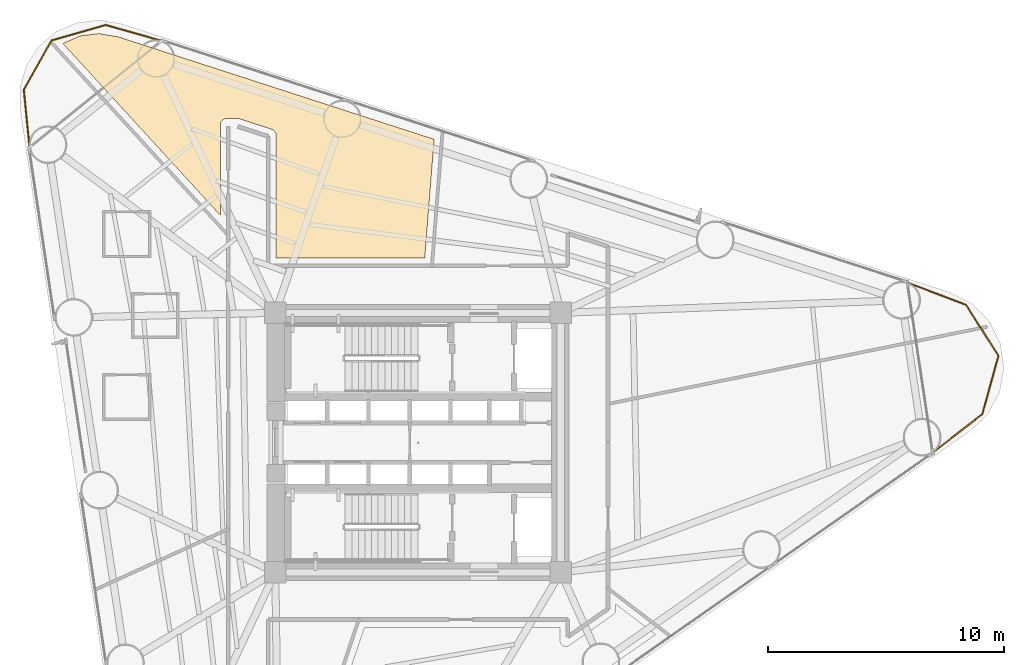
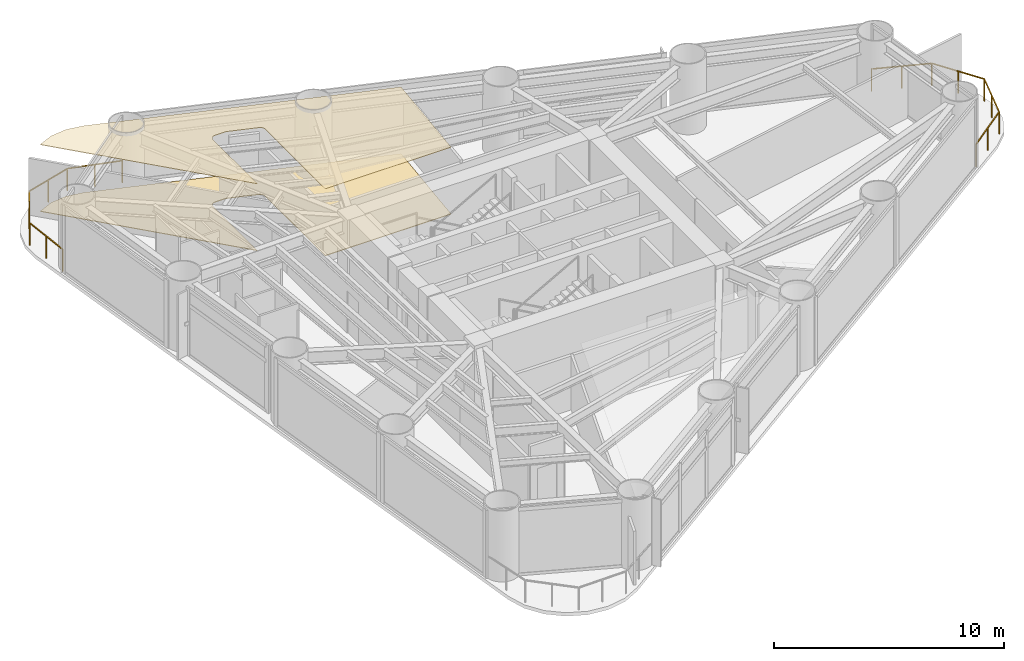
# One storey, part 11 of 11: 2 coverings, 2 railings.
"""IFC4 building model written with IfcOpenShell, lengths in metres."""

from ifc_helpers import new_model, si_unit, direction, frame, origin, origin_2d, place, context, subcontext, project, spatial, polyline, rectangle, outline, extrude, material, layer, layer_set, type_object, element, save


model = new_model("IFC4")

# Units and contexts
model_context = context("Model", 3, precision=1e-05, world=origin(), true_north=direction((0.0, 1.0)))
body_context = subcontext(model_context, "Body", "Model", "MODEL_VIEW")
ifc_project = project(units=[si_unit("LENGTHUNIT", "METRE"), si_unit("AREAUNIT", "SQUARE_METRE"), si_unit("VOLUMEUNIT", "CUBIC_METRE"), si_unit("PLANEANGLEUNIT", "RADIAN"), si_unit("MASSUNIT", "GRAM", prefix="KILO")], contexts=[model_context])

# Site, building, storey
site_placement = place(None, origin())
site = spatial("IfcSite", under=ifc_project, at=site_placement, CompositionType="ELEMENT")
building_placement = place(site_placement, origin())
building = spatial("IfcBuilding", under=site, at=building_placement, Name="Yunling Apex Tower", CompositionType="ELEMENT")
storey_placement = place(building_placement, frame((0.0, 0.0, 54.800048828125)))
storey = spatial("IfcBuildingStorey", under=building, at=storey_placement, Name="L14", CompositionType="ELEMENT", Elevation=54.800048828125)

# Coverings
ifc_material_1 = material(Name="Acoustic mineral fibre ceiling")
ifc_layer_1 = layer(ifc_material_1, 0.02490234375)
ifc_layer_set_1 = layer_set([ifc_layer_1], Name="Acoustic mineral fibre ceiling")
covering_type_1 = type_object("IfcCoveringType", Name="CV-CLG-1", PredefinedType="CEILING", material=ifc_layer_set_1)
covering_1_placement = place(storey_placement, frame((0.0, 0.0, 3.5400390625)))
element("IfcCovering", 1, at=covering_1_placement, inside=storey, type_object=covering_type_1, Name="CV-CL-SP-L14-R05", PredefinedType="CEILING", context=body_context, shape_type="SweptSolid", body=[
    extrude(outline(polyline([(-15.054443359375, 16.91748046875), (-15.044921875, 16.925537109375), (-14.3203125, 17.24267578125), (-13.53515625, 17.3388671875), (-12.7138671875, 17.199462890625), (0.680908203125, 12.857421875), (0.28515625, 7.830078125), (-6.02001953125, 7.830078125), (-6.02001953125, 13.04345703125), (-6.020751953125, 13.06591796875), (-6.025390625, 13.091552734375), (-6.029541015625, 13.108642578125), (-6.036865234375, 13.131103515625), (-6.048583984375, 13.156494140625), (-6.060546875, 13.176513671875), (-6.07470703125, 13.1962890625), (-6.092529296875, 13.21630859375), (-6.108642578125, 13.230712890625), (-6.126708984375, 13.244873046875), (-6.147705078125, 13.258056640625), (-6.17041015625, 13.269287109375), (-6.1884765625, 13.276123046875), (-7.556884765625, 13.719482421875), (-7.576171875, 13.724609375), (-7.6005859375, 13.728759765625), (-7.621337890625, 13.72998046875), (-8.1337890625, 13.72998046875), (-8.15478515625, 13.729248046875), (-8.1806640625, 13.72509765625), (-8.202392578125, 13.719482421875), (-8.224853515625, 13.711669921875), (-8.248291015625, 13.70068359375), (-8.27001953125, 13.6875), (-8.288818359375, 13.673583984375), (-8.306884765625, 13.656982421875), (-8.323486328125, 13.638671875), (-8.33740234375, 13.6201171875), (-8.3505859375, 13.59814453125), (-8.361572265625, 13.57470703125), (-8.369384765625, 13.552490234375), (-8.375, 13.53076171875), (-8.37939453125, 13.5048828125), (-8.3798828125, 13.48388671875), (-8.3798828125, 9.633544921875), (-15.054443359375, 16.91748046875)])), origin(), (0.0, 0.0, 1.0), 0.02490234375),
])
ifc_material_2 = material(Name="Polished granite stone", Category="masonry")
ifc_layer_2 = layer(ifc_material_2, 0.030029296875)
ifc_layer_set_2 = layer_set([ifc_layer_2], Name="Polished granite stone")
covering_type_2 = type_object("IfcCoveringType", Name="CV-FLR-1", PredefinedType="FLOORING", material=ifc_layer_set_2)
covering_2_placement = place(storey_placement, origin())
element("IfcCovering", 2, at=covering_2_placement, inside=storey, type_object=covering_type_2, Name="CV-FL-SP-L14-R05", PredefinedType="FLOORING", context=body_context, shape_type="SweptSolid", body=[
    extrude(outline(polyline([(-15.054443359375, 16.91748046875), (-15.044921875, 16.925537109375), (-14.3203125, 17.24267578125), (-13.53515625, 17.3388671875), (-12.7138671875, 17.199462890625), (0.680908203125, 12.857421875), (0.28515625, 7.830078125), (-6.02001953125, 7.830078125), (-6.02001953125, 13.04345703125), (-6.020751953125, 13.06591796875), (-6.025390625, 13.091552734375), (-6.029541015625, 13.108642578125), (-6.036865234375, 13.131103515625), (-6.048583984375, 13.156494140625), (-6.060546875, 13.176513671875), (-6.07470703125, 13.1962890625), (-6.092529296875, 13.21630859375), (-6.108642578125, 13.230712890625), (-6.126708984375, 13.244873046875), (-6.147705078125, 13.258056640625), (-6.17041015625, 13.269287109375), (-6.1884765625, 13.276123046875), (-7.556884765625, 13.719482421875), (-7.576171875, 13.724609375), (-7.6005859375, 13.728759765625), (-7.621337890625, 13.72998046875), (-8.1337890625, 13.72998046875), (-8.15478515625, 13.729248046875), (-8.1806640625, 13.72509765625), (-8.202392578125, 13.719482421875), (-8.224853515625, 13.711669921875), (-8.248291015625, 13.70068359375), (-8.27001953125, 13.6875), (-8.288818359375, 13.673583984375), (-8.306884765625, 13.656982421875), (-8.323486328125, 13.638671875), (-8.33740234375, 13.6201171875), (-8.3505859375, 13.59814453125), (-8.361572265625, 13.57470703125), (-8.369384765625, 13.552490234375), (-8.375, 13.53076171875), (-8.37939453125, 13.5048828125), (-8.3798828125, 13.48388671875), (-8.3798828125, 9.633544921875), (-15.054443359375, 16.91748046875)])), origin(), (0.0, 0.0, 1.0), 0.030029296875),
])

# Railings
ifc_material_3 = material(Name="Bronze anodised aluminium", Category="aluminium")
railing_type = type_object("IfcRailingType", Name="RL-BAL-1200", PredefinedType="BALUSTRADE", material=ifc_material_3)
railing_1_placement = place(storey_placement, frame((20.747314453125, 6.783935546875, 0.0)))
element("IfcRailing", 3, at=railing_1_placement, inside=storey, type_object=railing_type, Name="RL-CRNSILL-L14-1", PredefinedType="BALUSTRADE", context=body_context, shape_type="SweptSolid", body=[
    extrude(rectangle(XDim=0.0439453125, YDim=0.0439453125, at=origin_2d()), origin(), (0.0, 0.0, 1.0), 1.199951171875),
    extrude(rectangle(XDim=0.0439453125, YDim=0.0439453125, at=origin_2d()), frame((2.481689453125, -0.941650390625, 0.0)), (0.0, 0.0, 1.0), 1.199951171875),
    extrude(rectangle(XDim=0.050048828125, YDim=0.050048828125, at=origin_2d()), frame((0.035888671875, -0.013671875, 1.1748046875), z_axis=(0.934957554838, -0.354759595574, 0.0), x_axis=(0.354759595574, 0.934957554838, 0.0)), (0.0, 0.0, 1.0), 2.57763671875),
    extrude(rectangle(XDim=0.0439453125, YDim=0.0439453125, at=origin_2d()), frame((1.24072265625, -0.470703125, 0.0)), (0.0, 0.0, 1.0), 1.14599609375),
    extrude(rectangle(XDim=0.0439453125, YDim=0.0439453125, at=origin_2d()), frame((3.859375, -3.1064453125, 0.0)), (0.0, 0.0, 1.0), 1.199951171875),
    extrude(rectangle(XDim=0.050048828125, YDim=0.050048828125, at=origin_2d()), frame((2.502197265625, -0.973876953125, 1.1748046875), z_axis=(0.536900117586, -0.843645816523, 0.0), x_axis=(0.843645816523, 0.536900117586, 0.0)), (0.0, 0.0, 1.0), 2.4892578125),
    extrude(rectangle(XDim=0.0439453125, YDim=0.0439453125, at=origin_2d()), frame((3.17041015625, -2.02392578125, 0.0)), (0.0, 0.0, 1.0), 1.14599609375),
    extrude(rectangle(XDim=0.0439453125, YDim=0.0439453125, at=origin_2d()), frame((3.174560546875, -5.579345703125, 0.0)), (0.0, 0.0, 1.0), 1.199951171875),
    extrude(rectangle(XDim=0.050048828125, YDim=0.050048828125, at=origin_2d()), frame((3.84912109375, -3.143310546875, 1.1748046875), z_axis=(-0.26688316154, -0.963728892421, 0.0), x_axis=(0.963728892421, -0.26688316154, 0.0)), (0.0, 0.0, 1.0), 2.4892578125),
    extrude(rectangle(XDim=0.0439453125, YDim=0.0439453125, at=origin_2d()), frame((3.51708984375, -4.3427734375, 0.0)), (0.0, 0.0, 1.0), 1.14599609375),
    extrude(rectangle(XDim=0.0439453125, YDim=0.0439453125, at=origin_2d()), frame((1.07666015625, -7.20556640625, 0.0)), (0.0, 0.0, 1.0), 1.199951171875),
    extrude(rectangle(XDim=0.050048828125, YDim=0.050048828125, at=origin_2d()), frame((3.144287109375, -5.602783203125, 1.1748046875), z_axis=(-0.79035158758, -0.612653546476, 0.0), x_axis=(0.612653546476, -0.79035158758, 0.0)), (0.0, 0.0, 1.0), 2.57763671875),
    extrude(rectangle(XDim=0.0439453125, YDim=0.0439453125, at=origin_2d()), frame((2.12548828125, -6.392578125, 0.0)), (0.0, 0.0, 1.0), 1.14599609375),
])
railing_2_placement = place(storey_placement, frame((-16.470458984375, 12.5126953125, 0.0)))
element("IfcRailing", 4, at=railing_2_placement, inside=storey, type_object=railing_type, Name="RL-CRNSILL-L14-2", PredefinedType="BALUSTRADE", context=body_context, shape_type="SweptSolid", body=[
    extrude(rectangle(XDim=0.0439453125, YDim=0.0439453125, at=origin_2d()), origin(), (0.0, 0.0, 1.0), 1.199951171875),
    extrude(rectangle(XDim=0.0439453125, YDim=0.0439453125, at=origin_2d()), frame((-0.244140625, 2.449462890625, 0.0)), (0.0, 0.0, 1.0), 1.199951171875),
    extrude(rectangle(XDim=0.050048828125, YDim=0.050048828125, at=origin_2d()), frame((-0.00390625, 0.0380859375, 1.1748046875), z_axis=(-0.099179661385, 0.995069542679, 0.0), x_axis=(-0.995069542679, -0.099179661385, 0.0)), (0.0, 0.0, 1.0), 2.385009765625),
    extrude(rectangle(XDim=0.0439453125, YDim=0.0439453125, at=origin_2d()), frame((-0.1220703125, 1.224609375, 0.0)), (0.0, 0.0, 1.0), 1.14599609375),
    extrude(rectangle(XDim=0.0439453125, YDim=0.0439453125, at=origin_2d()), frame((0.935302734375, 4.534912109375, 0.0)), (0.0, 0.0, 1.0), 1.199951171875),
    extrude(rectangle(XDim=0.050048828125, YDim=0.050048828125, at=origin_2d()), frame((-0.225341796875, 2.48291015625, 1.1748046875), z_axis=(0.492282210089, 0.87043565278, 0.0), x_axis=(-0.87043565278, 0.492282210089, 0.0)), (0.0, 0.0, 1.0), 2.319091796875),
    extrude(rectangle(XDim=0.0439453125, YDim=0.0439453125, at=origin_2d()), frame((0.345703125, 3.4921875, 0.0)), (0.0, 0.0, 1.0), 1.14599609375),
    extrude(rectangle(XDim=0.0439453125, YDim=0.0439453125, at=origin_2d()), frame((3.231201171875, 5.19189453125, 0.0)), (0.0, 0.0, 1.0), 1.199951171875),
    extrude(rectangle(XDim=0.050048828125, YDim=0.050048828125, at=origin_2d()), frame((0.97216796875, 4.54541015625, 1.1748046875), z_axis=(0.961411988788, 0.275112682032, 0.0), x_axis=(-0.275112682032, 0.961411988788, 0.0)), (0.0, 0.0, 1.0), 2.311279296875),
    extrude(rectangle(XDim=0.0439453125, YDim=0.0439453125, at=origin_2d()), frame((2.083251953125, 4.86328125, 0.0)), (0.0, 0.0, 1.0), 1.14599609375),
    extrude(rectangle(XDim=0.0439453125, YDim=0.0439453125, at=origin_2d()), frame((5.60009765625, 4.52001953125, 0.0)), (0.0, 0.0, 1.0), 1.199951171875),
    extrude(rectangle(XDim=0.050048828125, YDim=0.050048828125, at=origin_2d()), frame((3.26806640625, 5.181396484375, 1.1748046875), z_axis=(0.962053444414, -0.272861082039, 0.0), x_axis=(0.272861082039, 0.962053444414, 0.0)), (0.0, 0.0, 1.0), 2.3857421875),
    extrude(rectangle(XDim=0.0439453125, YDim=0.0439453125, at=origin_2d()), frame((4.41552734375, 4.85595703125, 0.0)), (0.0, 0.0, 1.0), 1.14599609375),
])

save(model, "model.ifc")
